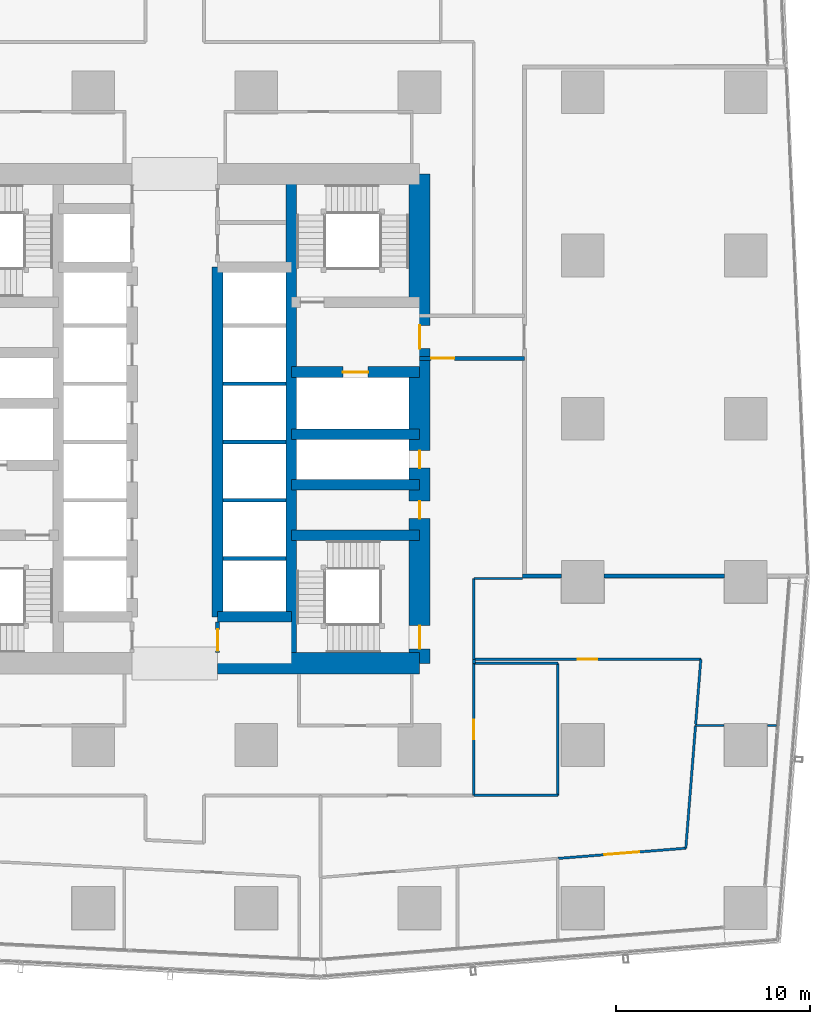
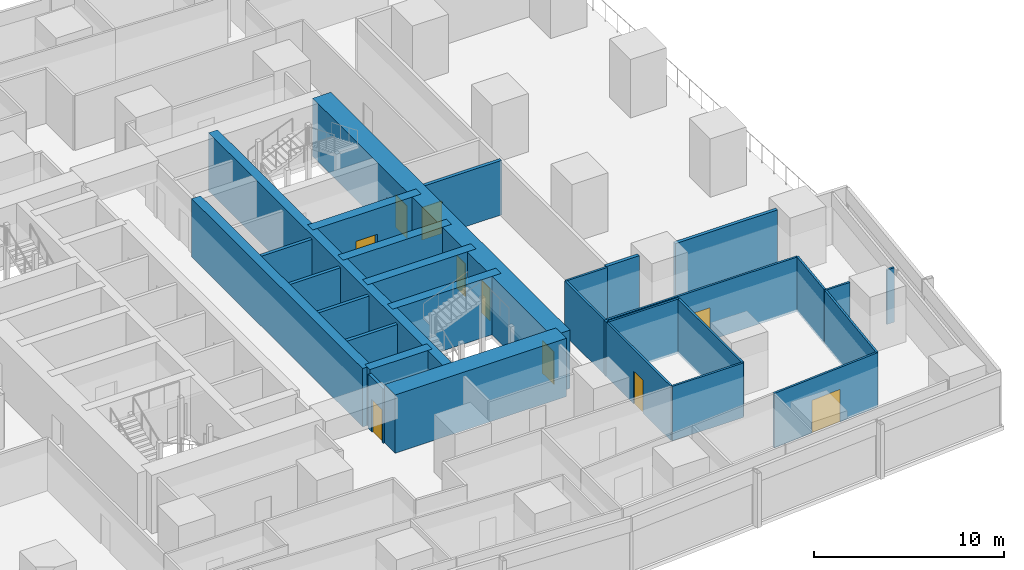
# One storey, part 31 of 42: 30 walls, 10 doors, 10 openings.
"""IFC4 building model written with IfcOpenShell, lengths in metres."""

from ifc_helpers import new_model, si_unit, direction, frame, frame_2d, origin, place, context, subcontext, project, spatial, rectangle, extrude, material, layer, layer_set, type_object, element, fill, save


model = new_model("IFC4")

# Units and contexts
model_context = context("Model", 3, precision=1e-05, world=origin(), true_north=direction((0.0, 1.0)))
body_context = subcontext(model_context, "Body", "Model", "MODEL_VIEW")
ifc_project = project(units=[si_unit("LENGTHUNIT", "METRE"), si_unit("AREAUNIT", "SQUARE_METRE"), si_unit("VOLUMEUNIT", "CUBIC_METRE"), si_unit("PLANEANGLEUNIT", "RADIAN"), si_unit("MASSUNIT", "GRAM", prefix="KILO")], contexts=[model_context])

# Site, building, storey
site_placement = place(None, origin())
site = spatial("IfcSite", under=ifc_project, at=site_placement, CompositionType="ELEMENT")
building_placement = place(site_placement, origin())
building = spatial("IfcBuilding", under=site, at=building_placement, Name="Rekha Terrace Tower", CompositionType="ELEMENT")
storey_placement = place(building_placement, frame((0.0, 0.0, 40.39990234375)))
storey = spatial("IfcBuildingStorey", under=building, at=storey_placement, Name="L09", CompositionType="ELEMENT", Elevation=40.39990234375)

# Walls
ifc_material_1 = material(Name="Concrete M70", Category="concrete")
ifc_layer_1 = layer(ifc_material_1, 0.550048828125)
ifc_layer_set_1 = layer_set([ifc_layer_1], Name="Concrete M70")
wall_type_1 = type_object("IfcWallType", Name="CI1 550 core internal shear wall", PredefinedType="SHEAR", material=ifc_layer_set_1)
wall_1_placement = place(storey_placement, frame((43.800048828125, 21.0, 0.0), z_axis=(0.0, 0.0, 1.0), x_axis=(0.0, 1.0, 0.0)))
element("IfcWall", 1, at=wall_1_placement, inside=storey, type_object=wall_type_1, Name="Core wall X438 L09", PredefinedType="SHEAR", context=body_context, shape_type="SweptSolid", body=[
    extrude(rectangle(XDim=25.199951171875, YDim=0.550048828125, at=frame_2d((12.60009765625, 0.0))), origin(), (0.0, 0.0, 1.0), 3.75),
])
wall_2_placement = place(storey_placement, frame((40.0, 23.39990234375, 0.0), z_axis=(0.0, 0.0, 1.0), x_axis=(0.0, 1.0, 0.0)))
element("IfcWall", 2, at=wall_2_placement, inside=storey, type_object=wall_type_1, Name="Core wall X400 L09", PredefinedType="SHEAR", context=body_context, shape_type="SweptSolid", body=[
    extrude(rectangle(XDim=18.0, YDim=0.550048828125, at=frame_2d((9.0, 0.0))), origin(), (0.0, 0.0, 1.0), 3.75),
])
wall_3_placement = place(storey_placement, frame((40.0, 23.39990234375, 0.0), z_axis=(0.0, 0.0, 1.0), x_axis=(1.0, 0.0, 0.0)))
element("IfcWall", 3, at=wall_3_placement, inside=storey, type_object=wall_type_1, Name="Core wall Y234E L09", PredefinedType="SHEAR", context=body_context, shape_type="SweptSolid", body=[
    extrude(rectangle(XDim=3.800048828125, YDim=0.550048828125, at=frame_2d((1.89990234375, 0.0))), origin(), (0.0, 0.0, 1.0), 3.75),
])
for number, where, z_axis, x_axis, name in (
    (4, (43.800048828125, 27.60009765625, 0.0), (0.0, 0.0, 1.0), (1.0, 0.0, 0.0), "Core wall Y276E L09"),
    (5, (43.800048828125, 30.199951171875, 0.0), (0.0, 0.0, 1.0), (1.0, 0.0, 0.0), "Core wall Y302E L09"),
    (6, (43.800048828125, 32.800048828125, 0.0), (0.0, 0.0, 1.0), (1.0, 0.0, 0.0), "Core wall Y328E L09"),
):
    element("IfcWall", number, at=place(storey_placement, frame(where, z_axis=z_axis, x_axis=x_axis)), inside=storey, type_object=wall_type_1, Name=name, PredefinedType="SHEAR", context=body_context, shape_type="SweptSolid", body=[
        extrude(rectangle(XDim=6.599853515625, YDim=0.550048828125, at=frame_2d((3.2998046875, 0.0))), origin(), (0.0, 0.0, 1.0), 3.75),
    ])

# Wall, opening, door
wall_4_placement = place(storey_placement, frame((43.800048828125, 36.0, 0.0), z_axis=(0.0, 0.0, 1.0), x_axis=(1.0, 0.0, 0.0)))
wall_4 = element("IfcWall", 7, at=wall_4_placement, inside=storey, type_object=wall_type_1, Name="Core wall Y360E L09", PredefinedType="SHEAR", context=body_context, shape_type="SweptSolid", body=[
    extrude(rectangle(XDim=6.599853515625, YDim=0.550048828125, at=frame_2d((3.2998046875, 0.0))), origin(), (0.0, 0.0, 1.0), 3.75),
])
opening_1_placement = place(wall_4_placement, frame((2.64990234375, 0.0, 0.0)))
opening_1 = element("IfcOpeningElement", 8, at=opening_1_placement, cuts=wall_4, Name="Opening LD2", PredefinedType="OPENING", context=body_context, shape_type="SweptSolid", body=[
    extrude(rectangle(XDim=1.300048828125, YDim=2.10009765625, at=frame_2d((0.64990234375, 1.050048828125))), frame((0.0, 0.284912109375, 0.0), z_axis=(0.0, -1.0, 0.0), x_axis=(1.0, 0.0, 0.0)), (0.0, 0.0, 1.0), 0.570068359375),
])
ifc_material_2 = material(Name="Stainless steel sliding landing door", Category="steel")
door_type_1 = type_object("IfcDoorType", Name="LD2 1300x2100 fire lift landing door", OperationType="SLIDING_TO_LEFT", PredefinedType="USERDEFINED", material=ifc_material_2)
door_1_placement = place(opening_1_placement, origin())
door_1 = element("IfcDoor", 9, at=door_1_placement, inside=storey, type_object=door_type_1, Name="Lift FL2 landing door L09", ObjectType="LIFT LANDING DOOR", OperationType="SLIDING_TO_LEFT", OverallHeight=2.10009765625, OverallWidth=1.300048828125, PredefinedType="USERDEFINED", context=body_context, shape_type="SweptSolid", body=[
    extrude(rectangle(XDim=1.300048828125, YDim=2.10009765625, at=frame_2d((0.64990234375, 1.050048828125))), frame((0.0, 0.02490234375, 0.0), z_axis=(0.0, -1.0, 0.0), x_axis=(1.0, 0.0, 0.0)), (0.0, 0.0, 1.0), 0.050048828125),
])
fill(opening_1, door_1)

# Wall
ifc_layer_2 = layer(ifc_material_1, 1.10009765625)
ifc_layer_set_2 = layer_set([ifc_layer_2], Name="Concrete M70")
wall_type_2 = type_object("IfcWallType", Name="SW1 1100 core outer shear wall", PredefinedType="SHEAR", material=ifc_layer_set_2)
wall_5_placement = place(storey_placement, frame((40.0, 21.0, 0.0), z_axis=(0.0, 0.0, 1.0), x_axis=(1.0, 0.0, 0.0)))
element("IfcWall", 10, at=wall_5_placement, inside=storey, type_object=wall_type_2, Name="Core wall S2 L09", PredefinedType="SHEAR", context=body_context, shape_type="SweptSolid", body=[
    extrude(rectangle(XDim=10.39990234375, YDim=1.10009765625, at=frame_2d((5.199951171875, 0.0))), origin(), (0.0, 0.0, 1.0), 3.75),
])

# Wall, openings, doors
wall_6_placement = place(storey_placement, frame((50.39990234375, 21.0, 0.0), z_axis=(0.0, 0.0, 1.0), x_axis=(0.0, 1.0, 0.0)))
wall_6 = element("IfcWall", 11, at=wall_6_placement, inside=storey, type_object=wall_type_2, Name="Core wall E L09", PredefinedType="SHEAR", context=body_context, shape_type="SweptSolid", body=[
    extrude(rectangle(XDim=25.199951171875, YDim=1.10009765625, at=frame_2d((12.60009765625, 0.0))), origin(), (0.0, 0.0, 1.0), 3.75),
])
opening_2_placement = place(wall_6_placement, frame((16.199951171875, 0.0, 0.0)))
opening_2 = element("IfcOpeningElement", 12, at=opening_2_placement, cuts=wall_6, Name="Opening D2", PredefinedType="OPENING", context=body_context, shape_type="SweptSolid", body=[
    extrude(rectangle(XDim=1.199951171875, YDim=2.10009765625, at=frame_2d((0.60009765625, 1.050048828125))), frame((0.0, 0.56005859375, 0.0), z_axis=(0.0, -1.0, 0.0), x_axis=(1.0, 0.0, 0.0)), (0.0, 0.0, 1.0), 1.1201171875),
])
opening_3_placement = place(wall_6_placement, frame((10.050048828125, 0.0, 0.0)))
opening_3 = element("IfcOpeningElement", 13, at=opening_3_placement, cuts=wall_6, Name="Opening D5", PredefinedType="OPENING", context=body_context, shape_type="SweptSolid", body=[
    extrude(rectangle(XDim=0.89990234375, YDim=2.10009765625, at=frame_2d((0.449951171875, 1.050048828125))), frame((0.0, 0.56005859375, 0.0), z_axis=(0.0, -1.0, 0.0), x_axis=(1.0, 0.0, 0.0)), (0.0, 0.0, 1.0), 1.1201171875),
])
opening_4_placement = place(wall_6_placement, frame((7.449951171875, 0.0, 0.0)))
opening_4 = element("IfcOpeningElement", 14, at=opening_4_placement, cuts=wall_6, Name="Opening D5", PredefinedType="OPENING", context=body_context, shape_type="SweptSolid", body=[
    extrude(rectangle(XDim=0.89990234375, YDim=2.10009765625, at=frame_2d((0.449951171875, 1.050048828125))), frame((0.0, 0.56005859375, 0.0), z_axis=(0.0, -1.0, 0.0), x_axis=(1.0, 0.0, 0.0)), (0.0, 0.0, 1.0), 1.1201171875),
])
opening_5_placement = place(wall_6_placement, frame((0.75, 0.0, 0.0)))
opening_5 = element("IfcOpeningElement", 15, at=opening_5_placement, cuts=wall_6, Name="Opening D1", PredefinedType="OPENING", context=body_context, shape_type="SweptSolid", body=[
    extrude(rectangle(XDim=1.199951171875, YDim=2.10009765625, at=frame_2d((0.60009765625, 1.050048828125))), frame((0.0, 0.56005859375, 0.0), z_axis=(0.0, -1.0, 0.0), x_axis=(1.0, 0.0, 0.0)), (0.0, 0.0, 1.0), 1.1201171875),
])
ifc_material_3 = material(Name="Steel fire door", Category="steel")
door_type_2 = type_object("IfcDoorType", Name="D1 1200x2100 stair fire door", OperationType="SINGLE_SWING_RIGHT", PredefinedType="DOOR", material=ifc_material_3)
door_2_placement = place(opening_5_placement, origin())
door_2 = element("IfcDoor", 16, at=door_2_placement, inside=storey, type_object=door_type_2, Name="Stair ST3 door L09", OperationType="SINGLE_SWING_RIGHT", OverallHeight=2.10009765625, OverallWidth=1.199951171875, PredefinedType="DOOR", context=body_context, shape_type="SweptSolid", body=[
    extrude(rectangle(XDim=1.199951171875, YDim=2.10009765625, at=frame_2d((0.60009765625, 1.050048828125))), frame((0.0, 0.02490234375, 0.0), z_axis=(0.0, -1.0, 0.0), x_axis=(1.0, 0.0, 0.0)), (0.0, 0.0, 1.0), 0.050048828125),
])
fill(opening_5, door_2)
door_type_3 = type_object("IfcDoorType", Name="D2 1200x2100 firefighting lobby door", OperationType="SINGLE_SWING_LEFT", PredefinedType="DOOR", material=ifc_material_3)
door_3_placement = place(opening_2_placement, origin())
door_3 = element("IfcDoor", 17, at=door_3_placement, inside=storey, type_object=door_type_3, Name="Door flb2 L09", OperationType="SINGLE_SWING_LEFT", OverallHeight=2.10009765625, OverallWidth=1.199951171875, PredefinedType="DOOR", context=body_context, shape_type="SweptSolid", body=[
    extrude(rectangle(XDim=1.199951171875, YDim=2.10009765625, at=frame_2d((0.60009765625, 1.050048828125))), frame((0.0, 0.02490234375, 0.0), z_axis=(0.0, -1.0, 0.0), x_axis=(1.0, 0.0, 0.0)), (0.0, 0.0, 1.0), 0.050048828125),
])
fill(opening_2, door_3)
door_type_4 = type_object("IfcDoorType", Name="D5 900x2100 riser access door", OperationType="SINGLE_SWING_LEFT", PredefinedType="DOOR", material=ifc_material_3)
door_4_placement = place(opening_3_placement, origin())
door_4 = element("IfcDoor", 18, at=door_4_placement, inside=storey, type_object=door_type_4, Name="Door rs2 L09", OperationType="SINGLE_SWING_LEFT", OverallHeight=2.10009765625, OverallWidth=0.89990234375, PredefinedType="DOOR", context=body_context, shape_type="SweptSolid", body=[
    extrude(rectangle(XDim=0.89990234375, YDim=2.10009765625, at=frame_2d((0.449951171875, 1.050048828125))), frame((0.0, 0.02490234375, 0.0), z_axis=(0.0, -1.0, 0.0), x_axis=(1.0, 0.0, 0.0)), (0.0, 0.0, 1.0), 0.050048828125),
])
fill(opening_3, door_4)
door_5_placement = place(opening_4_placement, origin())
door_5 = element("IfcDoor", 19, at=door_5_placement, inside=storey, type_object=door_type_4, Name="Door ele L09", OperationType="SINGLE_SWING_LEFT", OverallHeight=2.10009765625, OverallWidth=0.89990234375, PredefinedType="DOOR", context=body_context, shape_type="SweptSolid", body=[
    extrude(rectangle(XDim=0.89990234375, YDim=2.10009765625, at=frame_2d((0.449951171875, 1.050048828125))), frame((0.0, 0.02490234375, 0.0), z_axis=(0.0, -1.0, 0.0), x_axis=(1.0, 0.0, 0.0)), (0.0, 0.0, 1.0), 0.050048828125),
])
fill(opening_4, door_5)

# Walls
ifc_material_4 = material(Name="Concrete block masonry, 1 hour", Category="masonry")
ifc_layer_3 = layer(ifc_material_4, 0.14990234375)
ifc_layer_set_3 = layer_set([ifc_layer_3], Name="Concrete block masonry, 1 hour")
wall_type_3 = type_object("IfcWallType", Name="WP2 150 tenancy partition", PredefinedType="PARTITIONING", material=ifc_layer_set_3)
wall_7_placement = place(storey_placement, frame((53.199951171875, 21.0, 0.0), z_axis=(0.0, 0.0, 1.0), x_axis=(0.0, 1.0, 0.0)))
element("IfcWall", 20, at=wall_7_placement, inside=storey, type_object=wall_type_3, Name="Partition L09-O1", PredefinedType="PARTITIONING", context=body_context, shape_type="SweptSolid", body=[
    extrude(rectangle(XDim=0.201904296875, YDim=0.14990234375, at=frame_2d((0.10107421875, 0.0))), origin(), (0.0, 0.0, 1.0), 3.5),
])
ifc_material_5 = material(Name="Two layers of fire-rated gypsum board each side on steel studs, acoustic quilt, 1 hour", Category="steel")
ifc_layer_4 = layer(ifc_material_5, 0.125)
ifc_layer_set_4 = layer_set([ifc_layer_4], Name="Two layers of fire-rated gypsum board each side on steel studs, acoustic quilt, 1 hour")
wall_type_4 = type_object("IfcWallType", Name="WP3 125 office partition", PredefinedType="PARTITIONING", material=ifc_layer_set_4)
wall_8_placement = place(storey_placement, frame((64.612060546875, 17.801025390625, 0.0), z_axis=(0.0, 0.0, 1.0), x_axis=(1.0, 0.0, 0.0)))
element("IfcWall", 21, at=wall_8_placement, inside=storey, type_object=wall_type_4, Name="Partition L09-03", PredefinedType="PARTITIONING", context=body_context, shape_type="SweptSolid", body=[
    extrude(rectangle(XDim=1.468017578125, YDim=0.125, at=frame_2d((0.73388671875, 0.0))), origin(), (0.0, 0.0, 1.0), 3.5),
])
wall_9_placement = place(storey_placement, frame((68.320068359375, 17.801025390625, 0.0), z_axis=(0.0, 0.0, 1.0), x_axis=(1.0, 0.0, 0.0)))
element("IfcWall", 22, at=wall_9_placement, inside=storey, type_object=wall_type_4, Name="Partition L09-03", PredefinedType="PARTITIONING", context=body_context, shape_type="SweptSolid", body=[
    extrude(rectangle(XDim=0.454833984375, YDim=0.125, at=frame_2d((0.2275390625, 0.0))), origin(), (0.0, 0.0, 1.0), 3.5),
])

# Wall, opening, door
wall_10_placement = place(storey_placement, frame((57.527099609375, 10.95703125, 0.0), z_axis=(0.0, 0.0, 1.0), x_axis=(0.996798921347, 0.079949424016, 0.0)))
wall_10 = element("IfcWall", 23, at=wall_10_placement, inside=storey, type_object=wall_type_4, Name="Partition L09-03", PredefinedType="PARTITIONING", context=body_context, shape_type="SweptSolid", body=[
    extrude(rectangle(XDim=6.605224609375, YDim=0.125, at=frame_2d((3.302734375, 0.0))), origin(), (0.0, 0.0, 1.0), 3.5),
])
opening_6_placement = place(wall_10_placement, frame((2.403076171875, 0.0, 0.0)))
opening_6 = element("IfcOpeningElement", 24, at=opening_6_placement, cuts=wall_10, Name="Opening D8", PredefinedType="OPENING", context=body_context, shape_type="SweptSolid", body=[
    extrude(rectangle(XDim=1.800048828125, YDim=2.10009765625, at=frame_2d((0.89990234375, 1.050048828125))), frame((0.0, 0.072509765625, 0.0), z_axis=(0.0, -1.0, 0.0), x_axis=(1.0, 0.0, 0.0)), (0.0, 0.0, 1.0), 0.14501953125),
])
ifc_material_6 = material(Name="Timber fire door", Category="wood")
door_type_5 = type_object("IfcDoorType", Name="D8 1800x2100 double leaf door", OperationType="DOUBLE_DOOR_SINGLE_SWING", PredefinedType="DOOR", material=ifc_material_6)
door_6_placement = place(opening_6_placement, origin())
door_6 = element("IfcDoor", 25, at=door_6_placement, inside=storey, type_object=door_type_5, Name="Door meeting room L09", OperationType="DOUBLE_DOOR_SINGLE_SWING", OverallHeight=2.10009765625, OverallWidth=1.800048828125, PredefinedType="DOOR", context=body_context, shape_type="SweptSolid", body=[
    extrude(rectangle(XDim=1.800048828125, YDim=2.10009765625, at=frame_2d((0.89990234375, 1.050048828125))), frame((0.0, 0.02490234375, 0.0), z_axis=(0.0, -1.0, 0.0), x_axis=(1.0, 0.0, 0.0)), (0.0, 0.0, 1.0), 0.050048828125),
])
fill(opening_6, door_6)

# Walls
wall_11_placement = place(storey_placement, frame((64.111083984375, 11.485107421875, 0.0), z_axis=(0.0, 0.0, 1.0), x_axis=(0.079071322326, 0.996868961291, 0.0)))
element("IfcWall", 26, at=wall_11_placement, inside=storey, type_object=wall_type_4, Name="Partition L09-03", PredefinedType="PARTITIONING", context=body_context, shape_type="SweptSolid", body=[
    extrude(rectangle(XDim=6.335693359375, YDim=0.125, at=frame_2d((3.16796875, 0.0))), origin(), (0.0, 0.0, 1.0), 3.5),
])
wall_12_placement = place(storey_placement, frame((53.199951171875, 21.201904296875, 0.0), z_axis=(0.0, 0.0, 1.0), x_axis=(0.0, 1.0, 0.0)))
element("IfcWall", 27, at=wall_12_placement, inside=storey, type_object=wall_type_4, Name="Partition L09-04", PredefinedType="PARTITIONING", context=body_context, shape_type="SweptSolid", body=[
    extrude(rectangle(XDim=4.168212890625, YDim=0.125, at=frame_2d((2.083984375, 0.0))), origin(), (0.0, 0.0, 1.0), 3.5),
])
wall_13_placement = place(storey_placement, frame((53.199951171875, 25.3701171875, 0.0), z_axis=(0.0, 0.0, 1.0), x_axis=(1.0, 0.0, 0.0)))
element("IfcWall", 28, at=wall_13_placement, inside=storey, type_object=wall_type_4, Name="Partition L09-04", PredefinedType="PARTITIONING", context=body_context, shape_type="SweptSolid", body=[
    extrude(rectangle(XDim=2.4990234375, YDim=0.125, at=frame_2d((1.24951171875, 0.0))), origin(), (0.0, 0.0, 1.0), 3.5),
])
wall_14_placement = place(storey_placement, frame((64.617919921875, 17.863037109375, 0.0), z_axis=(0.0, 0.0, 1.0), x_axis=(0.078870243594, 0.996884890384, 0.0)))
element("IfcWall", 29, at=wall_14_placement, inside=storey, type_object=wall_type_4, Name="Partition L09-04", PredefinedType="PARTITIONING", context=body_context, shape_type="SweptSolid", body=[
    extrude(rectangle(XDim=3.349365234375, YDim=0.125, at=frame_2d((1.6748046875, 0.0))), origin(), (0.0, 0.0, 1.0), 3.5),
])

# Wall, opening, door
wall_15_placement = place(storey_placement, frame((64.882080078125, 21.201904296875, 0.0), z_axis=(0.0, 0.0, 1.0), x_axis=(-1.0, 0.0, 0.0)))
wall_15 = element("IfcWall", 30, at=wall_15_placement, inside=storey, type_object=wall_type_4, Name="Partition L09-04", PredefinedType="PARTITIONING", context=body_context, shape_type="SweptSolid", body=[
    extrude(rectangle(XDim=11.68212890625, YDim=0.125, at=frame_2d((5.841064453125, 0.0))), origin(), (0.0, 0.0, 1.0), 3.5),
])
opening_7_placement = place(wall_15_placement, frame((5.341064453125, 0.0, 0.0)))
opening_7 = element("IfcOpeningElement", 31, at=opening_7_placement, cuts=wall_15, Name="Opening D9", PredefinedType="OPENING", context=body_context, shape_type="SweptSolid", body=[
    extrude(rectangle(XDim=1.0, YDim=2.10009765625, at=frame_2d((0.5, 1.050048828125))), frame((0.0, 0.072509765625, 0.0), z_axis=(0.0, -1.0, 0.0), x_axis=(1.0, 0.0, 0.0)), (0.0, 0.0, 1.0), 0.14501953125),
])
door_type_6 = type_object("IfcDoorType", Name="D9 1000x2100 office door", OperationType="SINGLE_SWING_LEFT", PredefinedType="DOOR", material=ifc_material_6)
door_7_placement = place(opening_7_placement, origin())
door_7 = element("IfcDoor", 32, at=door_7_placement, inside=storey, type_object=door_type_6, Name="Door office L09", OperationType="SINGLE_SWING_LEFT", OverallHeight=2.10009765625, OverallWidth=1.0, PredefinedType="DOOR", context=body_context, shape_type="SweptSolid", body=[
    extrude(rectangle(XDim=1.0, YDim=2.10009765625, at=frame_2d((0.5, 1.050048828125))), frame((0.0, 0.02490234375, 0.0), z_axis=(0.0, -1.0, 0.0), x_axis=(1.0, 0.0, 0.0)), (0.0, 0.0, 1.0), 0.050048828125),
])
fill(opening_7, door_7)

# Walls
wall_16_placement = place(storey_placement, frame((57.52587890625, 21.0, 0.0), z_axis=(0.0, 0.0, 1.0), x_axis=(0.0, -1.0, 0.0)))
element("IfcWall", 33, at=wall_16_placement, inside=storey, type_object=wall_type_4, Name="Partition L09-05", PredefinedType="PARTITIONING", context=body_context, shape_type="SweptSolid", body=[
    extrude(rectangle(XDim=6.800048828125, YDim=0.125, at=frame_2d((3.39990234375, 0.0))), origin(), (0.0, 0.0, 1.0), 3.5),
])
wall_17_placement = place(storey_placement, frame((57.52587890625, 14.199951171875, 0.0), z_axis=(0.0, 0.0, 1.0), x_axis=(-1.0, 0.0, 0.0)))
element("IfcWall", 34, at=wall_17_placement, inside=storey, type_object=wall_type_4, Name="Partition L09-05", PredefinedType="PARTITIONING", context=body_context, shape_type="SweptSolid", body=[
    extrude(rectangle(XDim=4.325927734375, YDim=0.125, at=frame_2d((2.1630859375, 0.0))), origin(), (0.0, 0.0, 1.0), 3.5),
])

# Wall, opening, door
wall_18_placement = place(storey_placement, frame((53.199951171875, 14.199951171875, 0.0), z_axis=(0.0, 0.0, 1.0), x_axis=(0.0, 1.0, 0.0)))
wall_18 = element("IfcWall", 35, at=wall_18_placement, inside=storey, type_object=wall_type_4, Name="Partition L09-05", PredefinedType="PARTITIONING", context=body_context, shape_type="SweptSolid", body=[
    extrude(rectangle(XDim=6.800048828125, YDim=0.125, at=frame_2d((3.39990234375, 0.0))), origin(), (0.0, 0.0, 1.0), 3.5),
])
opening_8_placement = place(wall_18_placement, frame((2.89990234375, 0.0, 0.0)))
opening_8 = element("IfcOpeningElement", 36, at=opening_8_placement, cuts=wall_18, Name="Opening D9", PredefinedType="OPENING", context=body_context, shape_type="SweptSolid", body=[
    extrude(rectangle(XDim=1.0, YDim=2.10009765625, at=frame_2d((0.5, 1.050048828125))), frame((0.0, 0.072509765625, 0.0), z_axis=(0.0, -1.0, 0.0), x_axis=(1.0, 0.0, 0.0)), (0.0, 0.0, 1.0), 0.14501953125),
])
door_8_placement = place(opening_8_placement, origin())
door_8 = element("IfcDoor", 37, at=door_8_placement, inside=storey, type_object=door_type_6, Name="Door reception L09", OperationType="SINGLE_SWING_LEFT", OverallHeight=2.10009765625, OverallWidth=1.0, PredefinedType="DOOR", context=body_context, shape_type="SweptSolid", body=[
    extrude(rectangle(XDim=1.0, YDim=2.10009765625, at=frame_2d((0.5, 1.050048828125))), frame((0.0, 0.02490234375, 0.0), z_axis=(0.0, -1.0, 0.0), x_axis=(1.0, 0.0, 0.0)), (0.0, 0.0, 1.0), 0.050048828125),
])
fill(opening_8, door_8)

# Walls
wall_19_placement = place(storey_placement, frame((53.199951171875, 21.0, 0.0), z_axis=(0.0, 0.0, 1.0), x_axis=(1.0, 0.0, 0.0)))
element("IfcWall", 38, at=wall_19_placement, inside=storey, type_object=wall_type_4, Name="Partition L09-05", PredefinedType="PARTITIONING", context=body_context, shape_type="SweptSolid", body=[
    extrude(rectangle(XDim=4.325927734375, YDim=0.125, at=frame_2d((2.1630859375, 0.0))), origin(), (0.0, 0.0, 1.0), 3.5),
])
ifc_material_7 = material(Name="Solid concrete block masonry, 2 hour", Category="masonry")
ifc_layer_5 = layer(ifc_material_7, 0.199951171875)
ifc_layer_set_5 = layer_set([ifc_layer_5], Name="Solid concrete block masonry, 2 hour")
wall_type_5 = type_object("IfcWallType", Name="WS1 200 stair and shaft enclosure", PredefinedType="PARTITIONING", material=ifc_layer_set_5)
for number, where, z_axis, x_axis, name in (
    (39, (40.27490234375, 26.39990234375, 0.0), (0.0, 0.0, 1.0), (1.0, 0.0, 0.0), "Lift shaft divider L09"),
    (40, (40.27490234375, 29.39990234375, 0.0), (0.0, 0.0, 1.0), (1.0, 0.0, 0.0), "Lift shaft divider L09"),
    (41, (40.27490234375, 32.39990234375, 0.0), (0.0, 0.0, 1.0), (1.0, 0.0, 0.0), "Lift shaft divider L09"),
    (42, (40.27490234375, 35.39990234375, 0.0), (0.0, 0.0, 1.0), (1.0, 0.0, 0.0), "Lift shaft divider L09"),
):
    element("IfcWall", number, at=place(storey_placement, frame(where, z_axis=z_axis, x_axis=x_axis)), inside=storey, type_object=wall_type_5, Name=name, PredefinedType="PARTITIONING", context=body_context, shape_type="SweptSolid", body=[
        extrude(rectangle(XDim=3.25, YDim=0.199951171875, at=frame_2d((1.625, 0.0))), origin(), (0.0, 0.0, 1.0), 3.5),
    ])

# Wall, opening, door
wall_20_placement = place(storey_placement, frame((40.0, 21.550048828125, 0.0), z_axis=(0.0, 0.0, 1.0), x_axis=(0.0, 1.0, 0.0)))
wall_20 = element("IfcWall", 43, at=wall_20_placement, inside=storey, type_object=wall_type_5, Name="Core partition wca L09", PredefinedType="PARTITIONING", context=body_context, shape_type="SweptSolid", body=[
    extrude(rectangle(XDim=1.574951171875, YDim=0.199951171875, at=frame_2d((0.78759765625, 0.0))), origin(), (0.0, 0.0, 1.0), 3.5),
])
opening_9_placement = place(wall_20_placement, frame((0.10009765625, 0.0, 0.0)))
opening_9 = element("IfcOpeningElement", 44, at=opening_9_placement, cuts=wall_20, Name="Opening D4", PredefinedType="OPENING", context=body_context, shape_type="SweptSolid", body=[
    extrude(rectangle(XDim=1.10009765625, YDim=2.10009765625, at=frame_2d((0.550048828125, 1.050048828125))), frame((0.0, 0.10986328125, 0.0), z_axis=(0.0, -1.0, 0.0), x_axis=(1.0, 0.0, 0.0)), (0.0, 0.0, 1.0), 0.219970703125),
])
ifc_material_8 = material(Name="Laminated timber fire door", Category="wood")
door_type_7 = type_object("IfcDoorType", Name="D4 1100x2100 accessible WC door", OperationType="SLIDING_TO_LEFT", PredefinedType="DOOR", material=ifc_material_8)
door_9_placement = place(opening_9_placement, origin())
door_9 = element("IfcDoor", 45, at=door_9_placement, inside=storey, type_object=door_type_7, Name="Door wca L09", OperationType="SLIDING_TO_LEFT", OverallHeight=2.10009765625, OverallWidth=1.10009765625, PredefinedType="DOOR", context=body_context, shape_type="SweptSolid", body=[
    extrude(rectangle(XDim=1.10009765625, YDim=2.10009765625, at=frame_2d((0.550048828125, 1.050048828125))), frame((0.0, 0.02490234375, 0.0), z_axis=(0.0, -1.0, 0.0), x_axis=(1.0, 0.0, 0.0)), (0.0, 0.0, 1.0), 0.050048828125),
])
fill(opening_9, door_9)

# Walls
wall_21_placement = place(storey_placement, frame((55.699951171875, 25.5029296875, 0.0), z_axis=(0.0, 0.0, 1.0), x_axis=(1.0, 0.0, 0.0)))
element("IfcWall", 46, at=wall_21_placement, inside=storey, type_object=wall_type_5, Name="Refuge area south wall L09", PredefinedType="PARTITIONING", context=body_context, shape_type="SweptSolid", body=[
    extrude(rectangle(XDim=2.0, YDim=0.199951171875, at=frame_2d((1.0, 0.0))), origin(), (0.0, 0.0, 1.0), 3.5),
])
wall_22_placement = place(storey_placement, frame((59.89990234375, 25.5029296875, 0.0), z_axis=(0.0, 0.0, 1.0), x_axis=(1.0, 0.0, 0.0)))
element("IfcWall", 47, at=wall_22_placement, inside=storey, type_object=wall_type_5, Name="Refuge area south wall L09", PredefinedType="PARTITIONING", context=body_context, shape_type="SweptSolid", body=[
    extrude(rectangle(XDim=6.2001953125, YDim=0.199951171875, at=frame_2d((3.10009765625, 0.0))), origin(), (0.0, 0.0, 1.0), 3.5),
])

# Wall, opening, door
wall_23_placement = place(storey_placement, frame((50.39990234375, 36.699951171875, 0.0), z_axis=(0.0, 0.0, 1.0), x_axis=(1.0, 0.0, 0.0)))
wall_23 = element("IfcWall", 48, at=wall_23_placement, inside=storey, type_object=wall_type_5, Name="Refuge corridor south wall L09", PredefinedType="PARTITIONING", context=body_context, shape_type="SweptSolid", body=[
    extrude(rectangle(XDim=5.400146484375, YDim=0.199951171875, at=frame_2d((2.7001953125, 0.0))), origin(), (0.0, 0.0, 1.0), 3.5),
])
opening_10_placement = place(wall_23_placement, frame((0.60009765625, 0.0, 0.0)))
opening_10 = element("IfcOpeningElement", 49, at=opening_10_placement, cuts=wall_23, Name="Opening D2", PredefinedType="OPENING", context=body_context, shape_type="SweptSolid", body=[
    extrude(rectangle(XDim=1.199951171875, YDim=2.10009765625, at=frame_2d((0.60009765625, 1.050048828125))), frame((0.0, 0.10986328125, 0.0), z_axis=(0.0, -1.0, 0.0), x_axis=(1.0, 0.0, 0.0)), (0.0, 0.0, 1.0), 0.219970703125),
])
door_10_placement = place(opening_10_placement, origin())
door_10 = element("IfcDoor", 50, at=door_10_placement, inside=storey, type_object=door_type_3, Name="Refuge corridor door L09", OperationType="SINGLE_SWING_LEFT", OverallHeight=2.10009765625, OverallWidth=1.199951171875, PredefinedType="DOOR", context=body_context, shape_type="SweptSolid", body=[
    extrude(rectangle(XDim=1.199951171875, YDim=2.10009765625, at=frame_2d((0.60009765625, 1.050048828125))), frame((0.0, 0.02490234375, 0.0), z_axis=(0.0, -1.0, 0.0), x_axis=(1.0, 0.0, 0.0)), (0.0, 0.0, 1.0), 0.050048828125),
])
fill(opening_10, door_10)

save(model, "model.ifc")
